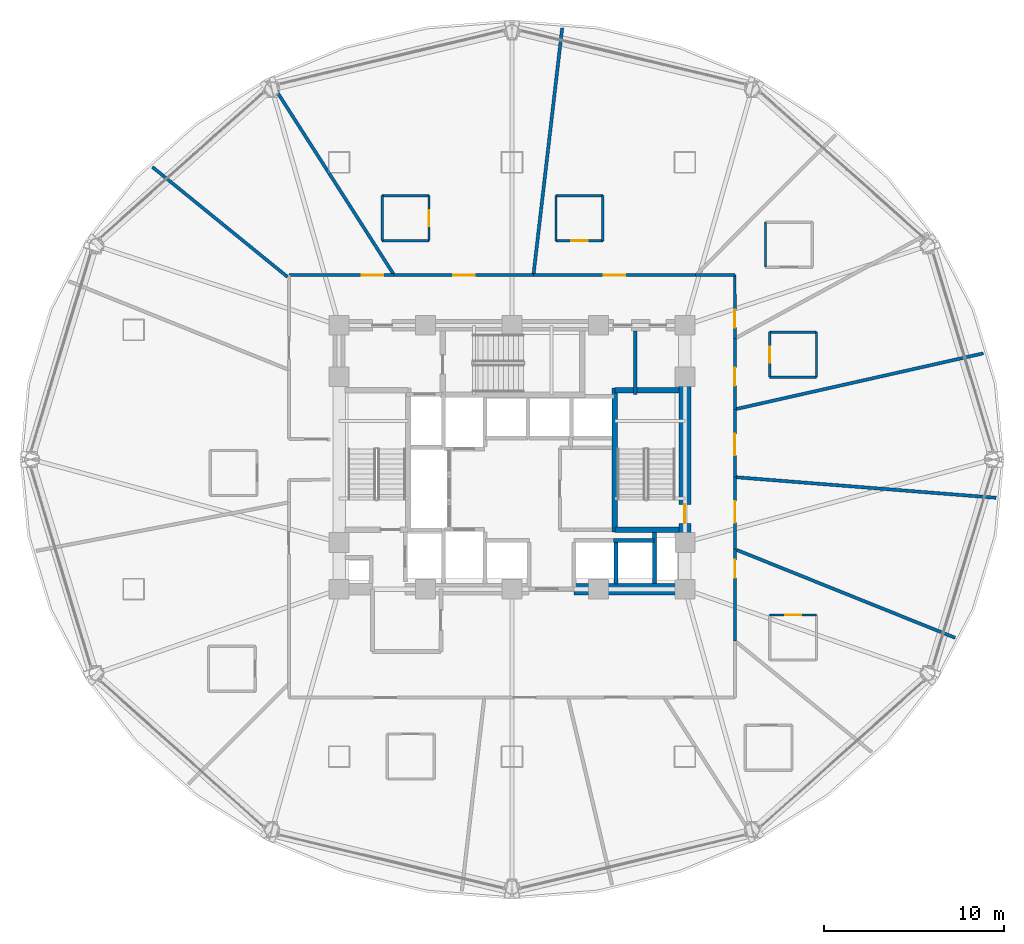
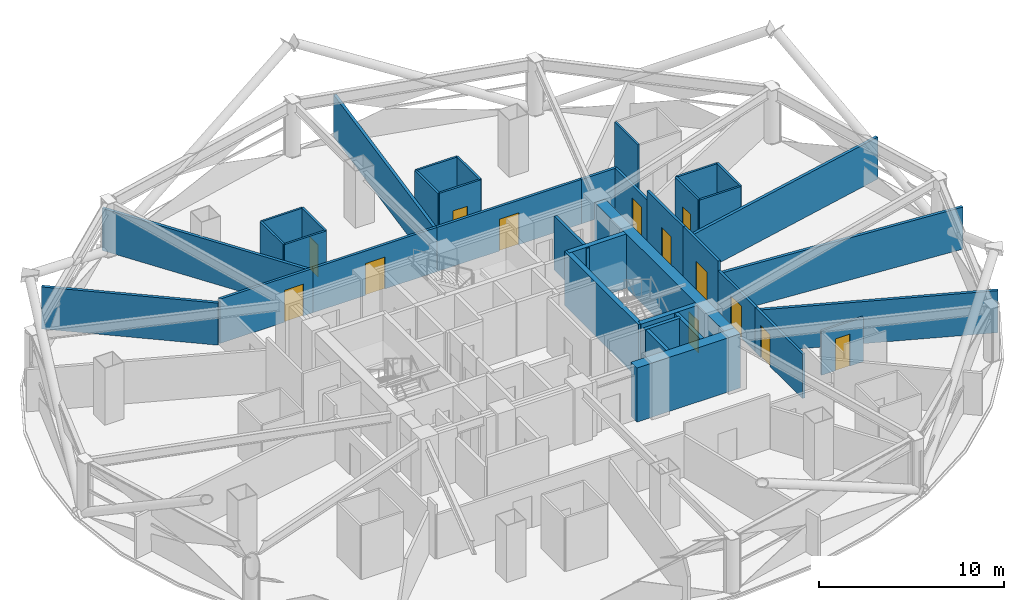
# One storey, part 26 of 31: 38 walls, 13 doors, 13 openings.
"""IFC4 building model written with IfcOpenShell, lengths in metres."""

from ifc_helpers import new_model, si_unit, direction, frame, frame_2d, origin, place, context, subcontext, project, spatial, rectangle, extrude, material, layer, layer_set, type_object, element, fill, save


model = new_model("IFC4")

# Units and contexts
model_context = context("Model", 3, precision=1e-05, world=origin(), true_north=direction((0.0, 1.0)))
body_context = subcontext(model_context, "Body", "Model", "MODEL_VIEW")
ifc_project = project(units=[si_unit("LENGTHUNIT", "METRE"), si_unit("AREAUNIT", "SQUARE_METRE"), si_unit("VOLUMEUNIT", "CUBIC_METRE"), si_unit("PLANEANGLEUNIT", "RADIAN"), si_unit("MASSUNIT", "GRAM", prefix="KILO")], contexts=[model_context])

# Site, building, storey
site_placement = place(None, origin())
site = spatial("IfcSite", under=ifc_project, at=site_placement, CompositionType="ELEMENT")
building_placement = place(site_placement, origin())
building = spatial("IfcBuilding", under=site, at=building_placement, Name="Vantalir Tower", CompositionType="ELEMENT")
storey_placement = place(building_placement, frame((0.0, 0.0, 42.0)))
storey = spatial("IfcBuildingStorey", under=building, at=storey_placement, Name="L09", CompositionType="ELEMENT", Elevation=42.0)

# Walls
ifc_material_1 = material(Name="Moisture-resistant en-suite partition", Category="gypsum")
ifc_layer_1 = layer(ifc_material_1, 0.125)
ifc_layer_set_1 = layer_set([ifc_layer_1], Name="Moisture-resistant en-suite partition")
wall_type_1 = type_object("IfcWallType", Name="WL-BATH-125", PredefinedType="PARTITIONING", material=ifc_layer_set_1)
for number, where, z_axis, x_axis, name in (
    (1, (45.806884765625, 29.572021484375, 0.0), (0.0, 0.0, 1.0), (1.0, 0.0, 0.0), "L09 En-suite 01 South Wall"),
    (2, (45.806884765625, 32.072021484375, 0.0), (0.0, 0.0, 1.0), (1.0, 0.0, 0.0), "L09 En-suite 01 North Wall"),
):
    element("IfcWall", number, at=place(storey_placement, frame(where, z_axis=z_axis, x_axis=x_axis)), inside=storey, type_object=wall_type_1, Name=name, PredefinedType="PARTITIONING", context=body_context, shape_type="SweptSolid", body=[
        extrude(rectangle(XDim=2.60009765625, YDim=0.125, at=frame_2d((1.300048828125, 0.0))), origin(), (0.0, 0.0, 1.0), 3.550048828125),
    ])

# Wall, opening, door
wall_1_placement = place(storey_placement, frame((45.806884765625, 29.572021484375, 0.0), z_axis=(0.0, 0.0, 1.0), x_axis=(0.0, 1.0, 0.0)))
wall_1 = element("IfcWall", 3, at=wall_1_placement, inside=storey, type_object=wall_type_1, Name="L09 En-suite 01 West Wall", PredefinedType="PARTITIONING", context=body_context, shape_type="SweptSolid", body=[
    extrude(rectangle(XDim=2.5, YDim=0.125, at=frame_2d((1.25, 0.0))), origin(), (0.0, 0.0, 1.0), 3.550048828125),
])
opening_1_placement = place(wall_1_placement, frame((0.800048828125, 0.0, 0.0)))
opening_1 = element("IfcOpeningElement", 4, at=opening_1_placement, cuts=wall_1, Name="Opening D-WC", PredefinedType="OPENING", context=body_context, shape_type="SweptSolid", body=[
    extrude(rectangle(XDim=0.89990234375, YDim=2.10009765625, at=frame_2d((0.449951171875, 1.050048828125))), frame((0.0, 0.072509765625, 0.0), z_axis=(0.0, -1.0, 0.0), x_axis=(1.0, 0.0, 0.0)), (0.0, 0.0, 1.0), 0.14501953125),
])
ifc_material_2 = material(Name="Moisture-resistant hardwood door", Category="wood")
door_type_1 = type_object("IfcDoorType", Name="DR-ENSUITE-900", OperationType="NOTDEFINED", PredefinedType="DOOR", material=ifc_material_2)
door_1_placement = place(opening_1_placement, frame((0.89990234375, 0.0, 0.0), z_axis=(0.0, 0.0, 1.0), x_axis=(-1.0, 0.0, 0.0)))
door_1 = element("IfcDoor", 5, at=door_1_placement, inside=storey, type_object=door_type_1, Name="L09 En-suite 01 Door", OperationType="SINGLE_SWING_LEFT", OverallHeight=2.10009765625, OverallWidth=0.89990234375, PredefinedType="DOOR", context=body_context, shape_type="SweptSolid", body=[
    extrude(rectangle(XDim=0.89990234375, YDim=2.10009765625, at=frame_2d((0.449951171875, 1.050048828125))), frame((0.0, 0.02490234375, 0.0), z_axis=(0.0, -1.0, 0.0), x_axis=(1.0, 0.0, 0.0)), (0.0, 0.0, 1.0), 0.050048828125),
])
fill(opening_1, door_1)

# Walls
for number, where, z_axis, x_axis, name in (
    (6, (48.406982421875, 29.572021484375, 0.0), (0.0, 0.0, 1.0), (0.0, 1.0, 0.0), "L09 En-suite 01 East Wall"),
    (7, (45.572998046875, 35.675048828125, 0.0), (0.0, 0.0, 1.0), (0.0, 1.0, 0.0), "L09 En-suite 02 West Wall"),
):
    element("IfcWall", number, at=place(storey_placement, frame(where, z_axis=z_axis, x_axis=x_axis)), inside=storey, type_object=wall_type_1, Name=name, PredefinedType="PARTITIONING", context=body_context, shape_type="SweptSolid", body=[
        extrude(rectangle(XDim=2.5, YDim=0.125, at=frame_2d((1.25, 0.0))), origin(), (0.0, 0.0, 1.0), 3.550048828125),
    ])

# Wall, opening, door
wall_2_placement = place(storey_placement, frame((33.94189453125, 37.14404296875, 0.0), z_axis=(0.0, 0.0, 1.0), x_axis=(1.0, 0.0, 0.0)))
wall_2 = element("IfcWall", 8, at=wall_2_placement, inside=storey, type_object=wall_type_1, Name="L09 En-suite 03 South Wall", PredefinedType="PARTITIONING", context=body_context, shape_type="SweptSolid", body=[
    extrude(rectangle(XDim=2.60009765625, YDim=0.125, at=frame_2d((1.300048828125, 0.0))), origin(), (0.0, 0.0, 1.0), 3.550048828125),
])
opening_2_placement = place(wall_2_placement, frame((0.85009765625, 0.0, 0.0)))
opening_2 = element("IfcOpeningElement", 9, at=opening_2_placement, cuts=wall_2, Name="Opening D-WC", PredefinedType="OPENING", context=body_context, shape_type="SweptSolid", body=[
    extrude(rectangle(XDim=0.89990234375, YDim=2.10009765625, at=frame_2d((0.449951171875, 1.050048828125))), frame((0.0, 0.072509765625, 0.0), z_axis=(0.0, -1.0, 0.0), x_axis=(1.0, 0.0, 0.0)), (0.0, 0.0, 1.0), 0.14501953125),
])
door_2_placement = place(opening_2_placement, origin())
door_2 = element("IfcDoor", 10, at=door_2_placement, inside=storey, type_object=door_type_1, Name="L09 En-suite 03 Door", OperationType="SINGLE_SWING_LEFT", OverallHeight=2.10009765625, OverallWidth=0.89990234375, PredefinedType="DOOR", context=body_context, shape_type="SweptSolid", body=[
    extrude(rectangle(XDim=0.89990234375, YDim=2.10009765625, at=frame_2d((0.449951171875, 1.050048828125))), frame((0.0, 0.02490234375, 0.0), z_axis=(0.0, -1.0, 0.0), x_axis=(1.0, 0.0, 0.0)), (0.0, 0.0, 1.0), 0.050048828125),
])
fill(opening_2, door_2)

# Walls
wall_3_placement = place(storey_placement, frame((33.94189453125, 39.64404296875, 0.0), z_axis=(0.0, 0.0, 1.0), x_axis=(1.0, 0.0, 0.0)))
element("IfcWall", 11, at=wall_3_placement, inside=storey, type_object=wall_type_1, Name="L09 En-suite 03 North Wall", PredefinedType="PARTITIONING", context=body_context, shape_type="SweptSolid", body=[
    extrude(rectangle(XDim=2.60009765625, YDim=0.125, at=frame_2d((1.300048828125, 0.0))), origin(), (0.0, 0.0, 1.0), 3.550048828125),
])
for number, where, z_axis, x_axis, name in (
    (12, (33.94189453125, 37.14404296875, 0.0), (0.0, 0.0, 1.0), (0.0, 1.0, 0.0), "L09 En-suite 03 West Wall"),
    (13, (36.5419921875, 37.14404296875, 0.0), (0.0, 0.0, 1.0), (0.0, 1.0, 0.0), "L09 En-suite 03 East Wall"),
):
    element("IfcWall", number, at=place(storey_placement, frame(where, z_axis=z_axis, x_axis=x_axis)), inside=storey, type_object=wall_type_1, Name=name, PredefinedType="PARTITIONING", context=body_context, shape_type="SweptSolid", body=[
        extrude(rectangle(XDim=2.5, YDim=0.125, at=frame_2d((1.25, 0.0))), origin(), (0.0, 0.0, 1.0), 3.550048828125),
    ])
for number, where, z_axis, x_axis, name in (
    (14, (24.2900390625, 37.14794921875, 0.0), (0.0, 0.0, 1.0), (1.0, 0.0, 0.0), "L09 En-suite 04 South Wall"),
    (15, (24.2900390625, 39.64794921875, 0.0), (0.0, 0.0, 1.0), (1.0, 0.0, 0.0), "L09 En-suite 04 North Wall"),
):
    element("IfcWall", number, at=place(storey_placement, frame(where, z_axis=z_axis, x_axis=x_axis)), inside=storey, type_object=wall_type_1, Name=name, PredefinedType="PARTITIONING", context=body_context, shape_type="SweptSolid", body=[
        extrude(rectangle(XDim=2.599853515625, YDim=0.125, at=frame_2d((1.2998046875, 0.0))), origin(), (0.0, 0.0, 1.0), 3.550048828125),
    ])
wall_4_placement = place(storey_placement, frame((24.2900390625, 37.14794921875, 0.0), z_axis=(0.0, 0.0, 1.0), x_axis=(0.0, 1.0, 0.0)))
element("IfcWall", 16, at=wall_4_placement, inside=storey, type_object=wall_type_1, Name="L09 En-suite 04 West Wall", PredefinedType="PARTITIONING", context=body_context, shape_type="SweptSolid", body=[
    extrude(rectangle(XDim=2.5, YDim=0.125, at=frame_2d((1.25, 0.0))), origin(), (0.0, 0.0, 1.0), 3.550048828125),
])

# Wall, opening, door
wall_5_placement = place(storey_placement, frame((26.889892578125, 37.14794921875, 0.0), z_axis=(0.0, 0.0, 1.0), x_axis=(0.0, 1.0, 0.0)))
wall_5 = element("IfcWall", 17, at=wall_5_placement, inside=storey, type_object=wall_type_1, Name="L09 En-suite 04 East Wall", PredefinedType="PARTITIONING", context=body_context, shape_type="SweptSolid", body=[
    extrude(rectangle(XDim=2.5, YDim=0.125, at=frame_2d((1.25, 0.0))), origin(), (0.0, 0.0, 1.0), 3.550048828125),
])
opening_3_placement = place(wall_5_placement, frame((0.800048828125, 0.0, 0.0)))
opening_3 = element("IfcOpeningElement", 18, at=opening_3_placement, cuts=wall_5, Name="Opening D-WC", PredefinedType="OPENING", context=body_context, shape_type="SweptSolid", body=[
    extrude(rectangle(XDim=0.89990234375, YDim=2.10009765625, at=frame_2d((0.449951171875, 1.050048828125))), frame((0.0, 0.072509765625, 0.0), z_axis=(0.0, -1.0, 0.0), x_axis=(1.0, 0.0, 0.0)), (0.0, 0.0, 1.0), 0.14501953125),
])
door_3_placement = place(opening_3_placement, origin())
door_3 = element("IfcDoor", 19, at=door_3_placement, inside=storey, type_object=door_type_1, Name="L09 En-suite 04 Door", OperationType="SINGLE_SWING_RIGHT", OverallHeight=2.10009765625, OverallWidth=0.89990234375, PredefinedType="DOOR", context=body_context, shape_type="SweptSolid", body=[
    extrude(rectangle(XDim=0.89990234375, YDim=2.10009765625, at=frame_2d((0.449951171875, 1.050048828125))), frame((0.0, 0.02490234375, 0.0), z_axis=(0.0, -1.0, 0.0), x_axis=(1.0, 0.0, 0.0)), (0.0, 0.0, 1.0), 0.050048828125),
])
fill(opening_3, door_3)

wall_6_placement = place(storey_placement, frame((45.805908203125, 16.367919921875, 0.0), z_axis=(0.0, 0.0, 1.0), x_axis=(1.0, 0.0, 0.0)))
wall_6 = element("IfcWall", 20, at=wall_6_placement, inside=storey, type_object=wall_type_1, Name="L09 En-suite 13 North Wall", PredefinedType="PARTITIONING", context=body_context, shape_type="SweptSolid", body=[
    extrude(rectangle(XDim=2.60009765625, YDim=0.125, at=frame_2d((1.300048828125, 0.0))), origin(), (0.0, 0.0, 1.0), 2.927978515625),
])
opening_4_placement = place(wall_6_placement, frame((0.85009765625, 0.0, 0.0)))
opening_4 = element("IfcOpeningElement", 21, at=opening_4_placement, cuts=wall_6, Name="Opening D-WC", PredefinedType="OPENING", context=body_context, shape_type="SweptSolid", body=[
    extrude(rectangle(XDim=0.89990234375, YDim=2.10009765625, at=frame_2d((0.449951171875, 1.050048828125))), frame((0.0, 0.072509765625, 0.0), z_axis=(0.0, -1.0, 0.0), x_axis=(1.0, 0.0, 0.0)), (0.0, 0.0, 1.0), 0.14501953125),
])
door_4_placement = place(opening_4_placement, frame((0.89990234375, 0.0, 0.0), z_axis=(0.0, 0.0, 1.0), x_axis=(-1.0, 0.0, 0.0)))
door_4 = element("IfcDoor", 22, at=door_4_placement, inside=storey, type_object=door_type_1, Name="L09 En-suite 13 Door", OperationType="SINGLE_SWING_LEFT", OverallHeight=2.10009765625, OverallWidth=0.89990234375, PredefinedType="DOOR", context=body_context, shape_type="SweptSolid", body=[
    extrude(rectangle(XDim=0.89990234375, YDim=2.10009765625, at=frame_2d((0.449951171875, 1.050048828125))), frame((0.0, 0.02490234375, 0.0), z_axis=(0.0, -1.0, 0.0), x_axis=(1.0, 0.0, 0.0)), (0.0, 0.0, 1.0), 0.050048828125),
])
fill(opening_4, door_4)

# Wall
ifc_material_3 = material(Name="Concrete C60/75", Category="concrete")
ifc_layer_2 = layer(ifc_material_3, 0.64990234375)
ifc_layer_set_2 = layer_set([ifc_layer_2], Name="Concrete C60/75")
wall_type_2 = type_object("IfcWallType", Name="WL-CORE-650", PredefinedType="SHEAR", material=ifc_layer_set_2)
wall_7_placement = place(storey_placement, frame((34.949951171875, 17.800048828125, 0.0), z_axis=(0.0, 0.0, 1.0), x_axis=(1.0, 0.0, 0.0)))
element("IfcWall", 23, at=wall_7_placement, inside=storey, type_object=wall_type_2, Name="L09 Core Shear Wall South-East", PredefinedType="SHEAR", context=body_context, shape_type="SweptSolid", body=[
    extrude(rectangle(XDim=6.47509765625, YDim=0.64990234375, at=frame_2d((3.237548828125, 0.0))), origin(), (0.0, 0.0, 1.0), 3.570068359375),
])

# Wall, opening, door
wall_8_placement = place(storey_placement, frame((41.10009765625, 18.125, 0.0), z_axis=(0.0, 0.0, 1.0), x_axis=(0.0, 1.0, 0.0)))
wall_8 = element("IfcWall", 24, at=wall_8_placement, inside=storey, type_object=wall_type_2, Name="L09 Core Shear Wall East", PredefinedType="SHEAR", context=body_context, shape_type="SweptSolid", body=[
    extrude(rectangle(XDim=14.0, YDim=0.64990234375, at=frame_2d((7.0, 0.0))), origin(), (0.0, 0.0, 1.0), 3.570068359375),
])
opening_5_placement = place(wall_8_placement, frame((3.3349609375, 0.0, 0.0)))
opening_5 = element("IfcOpeningElement", 25, at=opening_5_placement, cuts=wall_8, Name="Opening D-ST", PredefinedType="OPENING", context=body_context, shape_type="SweptSolid", body=[
    extrude(rectangle(XDim=1.050048828125, YDim=2.10009765625, at=frame_2d((0.52490234375, 1.050048828125))), frame((0.0, 0.3349609375, 0.0), z_axis=(0.0, -1.0, 0.0), x_axis=(1.0, 0.0, 0.0)), (0.0, 0.0, 1.0), 0.669921875),
])
ifc_material_4 = material(Name="Fire-rated steel door leaf", Category="steel")
door_type_2 = type_object("IfcDoorType", Name="DR-FIRE-STAIR-1050", OperationType="NOTDEFINED", PredefinedType="DOOR", material=ifc_material_4)
door_5_placement = place(opening_5_placement, origin())
door_5 = element("IfcDoor", 26, at=door_5_placement, inside=storey, type_object=door_type_2, Name="L09 Exit Stair ST2 Fire Door", OperationType="SINGLE_SWING_LEFT", OverallHeight=2.10009765625, OverallWidth=1.050048828125, PredefinedType="DOOR", context=body_context, shape_type="SweptSolid", body=[
    extrude(rectangle(XDim=1.050048828125, YDim=2.10009765625, at=frame_2d((0.52490234375, 1.050048828125))), frame((0.0, 0.02490234375, 0.0), z_axis=(0.0, -1.0, 0.0), x_axis=(1.0, 0.0, 0.0)), (0.0, 0.0, 1.0), 0.050048828125),
])
fill(opening_5, door_5)

ifc_material_5 = material(Name="Fire-rated hotel corridor acoustic partition", Category="gypsum")
ifc_layer_3 = layer(ifc_material_5, 0.159912109375)
ifc_layer_set_3 = layer_set([ifc_layer_3], Name="Fire-rated hotel corridor acoustic partition")
wall_type_3 = type_object("IfcWallType", Name="WL-CORR-160", PredefinedType="PARTITIONING", material=ifc_layer_set_3)
wall_9_placement = place(storey_placement, frame((19.131103515625, 35.235107421875, 0.0), z_axis=(0.0, 0.0, 1.0), x_axis=(1.0, 0.0, 0.0)))
wall_9 = element("IfcWall", 27, at=wall_9_placement, inside=storey, type_object=wall_type_3, Name="L09 Corridor Partition 04", PredefinedType="PARTITIONING", context=body_context, shape_type="SweptSolid", body=[
    extrude(rectangle(XDim=5.828857421875, YDim=0.159912109375, at=frame_2d((2.91455078125, 0.0))), origin(), (0.0, 0.0, 1.0), 2.927978515625),
])
opening_6_placement = place(wall_9_placement, frame((4.02294921875, 0.0, 0.0)))
opening_6 = element("IfcOpeningElement", 28, at=opening_6_placement, cuts=wall_9, Name="Opening D-STE", PredefinedType="OPENING", context=body_context, shape_type="SweptSolid", body=[
    extrude(rectangle(XDim=1.199951171875, YDim=2.10009765625, at=frame_2d((0.60009765625, 1.050048828125))), frame((0.0, 0.08984375, 0.0), z_axis=(0.0, -1.0, 0.0), x_axis=(1.0, 0.0, 0.0)), (0.0, 0.0, 1.0), 0.179931640625),
])
ifc_material_6 = material(Name="Solid-core teak veneer suite entrance door", Category="wood")
door_type_3 = type_object("IfcDoorType", Name="DR-SUITE-ENTRY-1200", OperationType="NOTDEFINED", PredefinedType="DOOR", material=ifc_material_6)
door_6_placement = place(opening_6_placement, origin())
door_6 = element("IfcDoor", 29, at=door_6_placement, inside=storey, type_object=door_type_3, Name="L09 Club Reading Lounge 05 Door", OperationType="SINGLE_SWING_LEFT", OverallHeight=2.10009765625, OverallWidth=1.199951171875, PredefinedType="DOOR", context=body_context, shape_type="SweptSolid", body=[
    extrude(rectangle(XDim=1.199951171875, YDim=2.10009765625, at=frame_2d((0.60009765625, 1.050048828125))), frame((0.0, 0.02490234375, 0.0), z_axis=(0.0, -1.0, 0.0), x_axis=(1.0, 0.0, 0.0)), (0.0, 0.0, 1.0), 0.050048828125),
])
fill(opening_6, door_6)

wall_10_placement = place(storey_placement, frame((24.9599609375, 35.235107421875, 0.0), z_axis=(0.0, 0.0, 1.0), x_axis=(1.0, 0.0, 0.0)))
wall_10 = element("IfcWall", 30, at=wall_10_placement, inside=storey, type_object=wall_type_3, Name="L09 Corridor Partition 05", PredefinedType="PARTITIONING", context=body_context, shape_type="SweptSolid", body=[
    extrude(rectangle(XDim=7.73095703125, YDim=0.159912109375, at=frame_2d((3.865478515625, 0.0))), origin(), (0.0, 0.0, 1.0), 2.927978515625),
])
opening_7_placement = place(wall_10_placement, frame((3.26611328125, 0.0, 0.0)))
opening_7 = element("IfcOpeningElement", 31, at=opening_7_placement, cuts=wall_10, Name="Opening D-STE", PredefinedType="OPENING", context=body_context, shape_type="SweptSolid", body=[
    extrude(rectangle(XDim=1.199951171875, YDim=2.10009765625, at=frame_2d((0.60009765625, 1.050048828125))), frame((0.0, 0.08984375, 0.0), z_axis=(0.0, -1.0, 0.0), x_axis=(1.0, 0.0, 0.0)), (0.0, 0.0, 1.0), 0.179931640625),
])
door_7_placement = place(opening_7_placement, origin())
door_7 = element("IfcDoor", 32, at=door_7_placement, inside=storey, type_object=door_type_3, Name="L09 Corner Panorama Hotel Suite 04 Door", OperationType="SINGLE_SWING_RIGHT", OverallHeight=2.10009765625, OverallWidth=1.199951171875, PredefinedType="DOOR", context=body_context, shape_type="SweptSolid", body=[
    extrude(rectangle(XDim=1.199951171875, YDim=2.10009765625, at=frame_2d((0.60009765625, 1.050048828125))), frame((0.0, 0.02490234375, 0.0), z_axis=(0.0, -1.0, 0.0), x_axis=(1.0, 0.0, 0.0)), (0.0, 0.0, 1.0), 0.050048828125),
])
fill(opening_7, door_7)

wall_11_placement = place(storey_placement, frame((32.69091796875, 35.235107421875, 0.0), z_axis=(0.0, 0.0, 1.0), x_axis=(1.0, 0.0, 0.0)))
wall_11 = element("IfcWall", 33, at=wall_11_placement, inside=storey, type_object=wall_type_3, Name="L09 Corridor Partition 06", PredefinedType="PARTITIONING", context=body_context, shape_type="SweptSolid", body=[
    extrude(rectangle(XDim=9.009033203125, YDim=0.159912109375, at=frame_2d((4.50439453125, 0.0))), origin(), (0.0, 0.0, 1.0), 2.927978515625),
])
opening_8_placement = place(wall_11_placement, frame((3.904052734375, 0.0, 0.0)))
opening_8 = element("IfcOpeningElement", 34, at=opening_8_placement, cuts=wall_11, Name="Opening D-STE", PredefinedType="OPENING", context=body_context, shape_type="SweptSolid", body=[
    extrude(rectangle(XDim=1.199951171875, YDim=2.10009765625, at=frame_2d((0.60009765625, 1.050048828125))), frame((0.0, 0.08984375, 0.0), z_axis=(0.0, -1.0, 0.0), x_axis=(1.0, 0.0, 0.0)), (0.0, 0.0, 1.0), 0.179931640625),
])
door_8_placement = place(opening_8_placement, origin())
door_8 = element("IfcDoor", 35, at=door_8_placement, inside=storey, type_object=door_type_3, Name="L09 Executive Club Hotel Suite 03 Door", OperationType="SINGLE_SWING_LEFT", OverallHeight=2.10009765625, OverallWidth=1.199951171875, PredefinedType="DOOR", context=body_context, shape_type="SweptSolid", body=[
    extrude(rectangle(XDim=1.199951171875, YDim=2.10009765625, at=frame_2d((0.60009765625, 1.050048828125))), frame((0.0, 0.02490234375, 0.0), z_axis=(0.0, -1.0, 0.0), x_axis=(1.0, 0.0, 0.0)), (0.0, 0.0, 1.0), 0.050048828125),
])
fill(opening_8, door_8)

# Wall
wall_12_placement = place(storey_placement, frame((41.699951171875, 35.235107421875, 0.0), z_axis=(0.0, 0.0, 1.0), x_axis=(1.0, 0.0, 0.0)))
element("IfcWall", 36, at=wall_12_placement, inside=storey, type_object=wall_type_3, Name="L09 Corridor Partition 07", PredefinedType="PARTITIONING", context=body_context, shape_type="SweptSolid", body=[
    extrude(rectangle(XDim=2.1689453125, YDim=0.159912109375, at=frame_2d((1.08447265625, 0.0))), origin(), (0.0, 0.0, 1.0), 2.927978515625),
])

# Wall, opening, door
wall_13_placement = place(storey_placement, frame((43.868896484375, 35.235107421875, 0.0), z_axis=(0.0, 0.0, 1.0), x_axis=(0.00062439283, -0.999999805067, 0.0)))
wall_13 = element("IfcWall", 37, at=wall_13_placement, inside=storey, type_object=wall_type_3, Name="L09 Corridor Partition 08", PredefinedType="PARTITIONING", context=body_context, shape_type="SweptSolid", body=[
    extrude(rectangle(XDim=3.51904296875, YDim=0.159912109375, at=frame_2d((1.759521484375, 0.0))), origin(), (0.0, 0.0, 1.0), 2.927978515625),
])
opening_9_placement = place(wall_13_placement, frame((1.9189453125, 0.0, 0.0)))
opening_9 = element("IfcOpeningElement", 38, at=opening_9_placement, cuts=wall_13, Name="Opening D-GUEST", PredefinedType="OPENING", context=body_context, shape_type="SweptSolid", body=[
    extrude(rectangle(XDim=1.0, YDim=2.10009765625, at=frame_2d((0.5, 1.050048828125))), frame((0.0, 0.08984375, 0.0), z_axis=(0.0, -1.0, 0.0), x_axis=(1.0, 0.0, 0.0)), (0.0, 0.0, 1.0), 0.179931640625),
])
ifc_material_7 = material(Name="Solid-core teak veneer acoustic fire door", Category="wood")
door_type_4 = type_object("IfcDoorType", Name="DR-GUEST-ENTRY-1000", OperationType="NOTDEFINED", PredefinedType="DOOR", material=ifc_material_7)
door_9_placement = place(opening_9_placement, origin())
door_9 = element("IfcDoor", 39, at=door_9_placement, inside=storey, type_object=door_type_4, Name="L09 Deluxe King Hotel Room 02 Door", OperationType="SINGLE_SWING_RIGHT", OverallHeight=2.10009765625, OverallWidth=1.0, PredefinedType="DOOR", context=body_context, shape_type="SweptSolid", body=[
    extrude(rectangle(XDim=1.0, YDim=2.10009765625, at=frame_2d((0.5, 1.050048828125))), frame((0.0, 0.02490234375, 0.0), z_axis=(0.0, -1.0, 0.0), x_axis=(1.0, 0.0, 0.0)), (0.0, 0.0, 1.0), 0.050048828125),
])
fill(opening_9, door_9)

wall_14_placement = place(storey_placement, frame((43.87109375, 31.716064453125, 0.0), z_axis=(0.0, 0.0, 1.0), x_axis=(0.000745850995, -0.999999721853, 0.0)))
wall_14 = element("IfcWall", 40, at=wall_14_placement, inside=storey, type_object=wall_type_3, Name="L09 Corridor Partition 09", PredefinedType="PARTITIONING", context=body_context, shape_type="SweptSolid", body=[
    extrude(rectangle(XDim=3.927978515625, YDim=0.159912109375, at=frame_2d((1.9638671875, 0.0))), origin(), (0.0, 0.0, 1.0), 3.550048828125),
])
opening_10_placement = place(wall_14_placement, frame((1.60888671875, 0.0, 0.0)))
opening_10 = element("IfcOpeningElement", 41, at=opening_10_placement, cuts=wall_14, Name="Opening D-GUEST", PredefinedType="OPENING", context=body_context, shape_type="SweptSolid", body=[
    extrude(rectangle(XDim=1.0, YDim=2.10009765625, at=frame_2d((0.5, 1.050048828125))), frame((0.0, 0.08984375, 0.0), z_axis=(0.0, -1.0, 0.0), x_axis=(1.0, 0.0, 0.0)), (0.0, 0.0, 1.0), 0.179931640625),
])
door_10_placement = place(opening_10_placement, origin())
door_10 = element("IfcDoor", 42, at=door_10_placement, inside=storey, type_object=door_type_4, Name="L09 Twin Queen Hotel Room 01 Door", OperationType="SINGLE_SWING_LEFT", OverallHeight=2.10009765625, OverallWidth=1.0, PredefinedType="DOOR", context=body_context, shape_type="SweptSolid", body=[
    extrude(rectangle(XDim=1.0, YDim=2.10009765625, at=frame_2d((0.5, 1.050048828125))), frame((0.0, 0.02490234375, 0.0), z_axis=(0.0, -1.0, 0.0), x_axis=(1.0, 0.0, 0.0)), (0.0, 0.0, 1.0), 0.050048828125),
])
fill(opening_10, door_10)

wall_15_placement = place(storey_placement, frame((43.8740234375, 27.7880859375, 0.0), z_axis=(0.0, 0.0, 1.0), x_axis=(0.000777907194, -0.99999969743, 0.0)))
wall_15 = element("IfcWall", 43, at=wall_15_placement, inside=storey, type_object=wall_type_3, Name="L09 Corridor Partition 10", PredefinedType="PARTITIONING", context=body_context, shape_type="SweptSolid", body=[
    extrude(rectangle(XDim=3.76611328125, YDim=0.159912109375, at=frame_2d((1.883056640625, 0.0))), origin(), (0.0, 0.0, 1.0), 3.550048828125),
])
opening_11_placement = place(wall_15_placement, frame((1.35791015625, 0.0, 0.0)))
opening_11 = element("IfcOpeningElement", 44, at=opening_11_placement, cuts=wall_15, Name="Opening D-STE", PredefinedType="OPENING", context=body_context, shape_type="SweptSolid", body=[
    extrude(rectangle(XDim=1.199951171875, YDim=2.10009765625, at=frame_2d((0.60009765625, 1.050048828125))), frame((0.0, 0.08984375, 0.0), z_axis=(0.0, -1.0, 0.0), x_axis=(1.0, 0.0, 0.0)), (0.0, 0.0, 1.0), 0.179931640625),
])
door_11_placement = place(opening_11_placement, origin())
door_11 = element("IfcDoor", 45, at=door_11_placement, inside=storey, type_object=door_type_3, Name="L09 Executive Sky Boardroom 15 Door", OperationType="SINGLE_SWING_LEFT", OverallHeight=2.10009765625, OverallWidth=1.199951171875, PredefinedType="DOOR", context=body_context, shape_type="SweptSolid", body=[
    extrude(rectangle(XDim=1.199951171875, YDim=2.10009765625, at=frame_2d((0.60009765625, 1.050048828125))), frame((0.0, 0.02490234375, 0.0), z_axis=(0.0, -1.0, 0.0), x_axis=(1.0, 0.0, 0.0)), (0.0, 0.0, 1.0), 0.050048828125),
])
fill(opening_11, door_11)

wall_16_placement = place(storey_placement, frame((43.876953125, 24.02197265625, 0.0), z_axis=(0.0, 0.0, 1.0), x_axis=(0.000732064226, -0.999999732041, 0.0)))
wall_16 = element("IfcWall", 46, at=wall_16_placement, inside=storey, type_object=wall_type_3, Name="L09 Corridor Partition 11", PredefinedType="PARTITIONING", context=body_context, shape_type="SweptSolid", body=[
    extrude(rectangle(XDim=4.001953125, YDim=0.159912109375, at=frame_2d((2.0009765625, 0.0))), origin(), (0.0, 0.0, 1.0), 2.927978515625),
])
opening_12_placement = place(wall_16_placement, frame((1.327880859375, 0.0, 0.0)))
opening_12 = element("IfcOpeningElement", 47, at=opening_12_placement, cuts=wall_16, Name="Opening D-STE", PredefinedType="OPENING", context=body_context, shape_type="SweptSolid", body=[
    extrude(rectangle(XDim=1.199951171875, YDim=2.10009765625, at=frame_2d((0.60009765625, 1.050048828125))), frame((0.0, 0.08984375, 0.0), z_axis=(0.0, -1.0, 0.0), x_axis=(1.0, 0.0, 0.0)), (0.0, 0.0, 1.0), 0.179931640625),
])
door_12_placement = place(opening_12_placement, origin())
door_12 = element("IfcDoor", 48, at=door_12_placement, inside=storey, type_object=door_type_3, Name="L09 Club Reading Lounge 14 Door", OperationType="SINGLE_SWING_RIGHT", OverallHeight=2.10009765625, OverallWidth=1.199951171875, PredefinedType="DOOR", context=body_context, shape_type="SweptSolid", body=[
    extrude(rectangle(XDim=1.199951171875, YDim=2.10009765625, at=frame_2d((0.60009765625, 1.050048828125))), frame((0.0, 0.02490234375, 0.0), z_axis=(0.0, -1.0, 0.0), x_axis=(1.0, 0.0, 0.0)), (0.0, 0.0, 1.0), 0.050048828125),
])
fill(opening_12, door_12)

wall_17_placement = place(storey_placement, frame((43.8798828125, 20.02001953125, 0.0), z_axis=(0.0, 0.0, 1.0), x_axis=(0.000623052839, -0.999999805903, 0.0)))
wall_17 = element("IfcWall", 49, at=wall_17_placement, inside=storey, type_object=wall_type_3, Name="L09 Corridor Partition 12", PredefinedType="PARTITIONING", context=body_context, shape_type="SweptSolid", body=[
    extrude(rectangle(XDim=5.093994140625, YDim=0.159912109375, at=frame_2d((2.546875, 0.0))), origin(), (0.0, 0.0, 1.0), 2.927978515625),
])
opening_13_placement = place(wall_17_placement, frame((0.594970703125, 0.0, 0.0)))
opening_13 = element("IfcOpeningElement", 50, at=opening_13_placement, cuts=wall_17, Name="Opening D-GUEST", PredefinedType="OPENING", context=body_context, shape_type="SweptSolid", body=[
    extrude(rectangle(XDim=1.0, YDim=2.10009765625, at=frame_2d((0.5, 1.050048828125))), frame((0.0, 0.08984375, 0.0), z_axis=(0.0, -1.0, 0.0), x_axis=(1.0, 0.0, 0.0)), (0.0, 0.0, 1.0), 0.179931640625),
])
door_13_placement = place(opening_13_placement, origin())
door_13 = element("IfcDoor", 51, at=door_13_placement, inside=storey, type_object=door_type_4, Name="L09 Deluxe King Hotel Room 13 Door", OperationType="SINGLE_SWING_LEFT", OverallHeight=2.10009765625, OverallWidth=1.0, PredefinedType="DOOR", context=body_context, shape_type="SweptSolid", body=[
    extrude(rectangle(XDim=1.0, YDim=2.10009765625, at=frame_2d((0.5, 1.050048828125))), frame((0.0, 0.02490234375, 0.0), z_axis=(0.0, -1.0, 0.0), x_axis=(1.0, 0.0, 0.0)), (0.0, 0.0, 1.0), 0.050048828125),
])
fill(opening_13, door_13)

# Walls
ifc_material_8 = material(Name="Concrete blockwork with fireboard lining", Category="masonry")
ifc_layer_4 = layer(ifc_material_8, 0.219970703125)
ifc_layer_set_4 = layer_set([ifc_layer_4], Name="Concrete blockwork with fireboard lining")
wall_type_4 = type_object("IfcWallType", Name="WL-FFL-220", PredefinedType="PARTITIONING", material=ifc_layer_set_4)
wall_18_placement = place(storey_placement, frame((37.27490234375, 18.080078125, 0.0), z_axis=(0.0, 0.0, 1.0), x_axis=(0.0, 1.0, 0.0)))
element("IfcWall", 52, at=wall_18_placement, inside=storey, type_object=wall_type_4, Name="L09 Shuttle Lift PL-X2/X3 Shaft Divider", PredefinedType="PARTITIONING", context=body_context, shape_type="SweptSolid", body=[
    extrude(rectangle(XDim=2.309814453125, YDim=0.219970703125, at=frame_2d((1.15478515625, 0.0))), origin(), (0.0, 0.0, 1.0), 3.544921875),
])
wall_19_placement = place(storey_placement, frame((39.419921875, 18.125, 0.0), z_axis=(0.0, 0.0, 1.0), x_axis=(0.0, 1.0, 0.0)))
element("IfcWall", 53, at=wall_19_placement, inside=storey, type_object=wall_type_4, Name="L09 East MEP Riser Wall W", PredefinedType="PARTITIONING", context=body_context, shape_type="SweptSolid", body=[
    extrude(rectangle(XDim=2.824951171875, YDim=0.219970703125, at=frame_2d((1.41259765625, 0.0))), origin(), (0.0, 0.0, 1.0), 3.550048828125),
])
wall_20_placement = place(storey_placement, frame((37.139892578125, 20.510009765625, 0.0), z_axis=(0.0, 0.0, 1.0), x_axis=(1.0, 0.0, 0.0)))
element("IfcWall", 54, at=wall_20_placement, inside=storey, type_object=wall_type_4, Name="L09 Lift PL-X2 Shaft Rear Wall", PredefinedType="PARTITIONING", context=body_context, shape_type="SweptSolid", body=[
    extrude(rectangle(XDim=2.239990234375, YDim=0.219970703125, at=frame_2d((1.1201171875, 0.0))), origin(), (0.0, 0.0, 1.0), 3.550048828125),
])
ifc_material_9 = material(Name="Twin-stud acoustic fire-rated gypsum partition", Category="gypsum")
ifc_layer_5 = layer(ifc_material_9, 0.179931640625)
ifc_layer_set_5 = layer_set([ifc_layer_5], Name="Twin-stud acoustic fire-rated gypsum partition")
wall_type_5 = type_object("IfcWallType", Name="WL-GUEST-180", PredefinedType="PARTITIONING", material=ifc_layer_set_5)
wall_21_placement = place(storey_placement, frame((38.340087890625, 28.6201171875, 0.0), z_axis=(0.0, 0.0, 1.0), x_axis=(0.0, 1.0, 0.0)))
element("IfcWall", 55, at=wall_21_placement, inside=storey, type_object=wall_type_5, Name="L09 High-Rise Lift Lobby East Wall", PredefinedType="PARTITIONING", context=body_context, shape_type="SweptSolid", body=[
    extrude(rectangle(XDim=3.5048828125, YDim=0.179931640625, at=frame_2d((1.75244140625, 0.0))), origin(), (0.0, 0.0, 1.0), 3.550048828125),
])
wall_22_placement = place(storey_placement, frame((43.965087890625, 27.80810546875, 0.0), z_axis=(0.0, 0.0, 1.0), x_axis=(0.975548947741, 0.219782279907, 0.0)))
element("IfcWall", 56, at=wall_22_placement, inside=storey, type_object=wall_type_5, Name="L09 Radial Suite Partition 01", PredefinedType="PARTITIONING", context=body_context, shape_type="SweptSolid", body=[
    extrude(rectangle(XDim=14.04541015625, YDim=0.179931640625, at=frame_2d((7.022705078125, 0.0))), origin(), (0.0, 0.0, 1.0), 2.77490234375),
])
wall_23_placement = place(storey_placement, frame((32.699951171875, 35.31494140625, 0.0), z_axis=(0.0, 0.0, 1.0), x_axis=(0.115555102972, 0.993301071265, 0.0)))
element("IfcWall", 57, at=wall_23_placement, inside=storey, type_object=wall_type_5, Name="L09 Radial Suite Partition 04", PredefinedType="PARTITIONING", context=body_context, shape_type="SweptSolid", body=[
    extrude(rectangle(XDim=13.735107421875, YDim=0.179931640625, at=frame_2d((6.86767578125, 0.0))), origin(), (0.0, 0.0, 1.0), 2.77490234375),
])
wall_24_placement = place(storey_placement, frame((24.908935546875, 35.31494140625, 0.0), z_axis=(0.0, 0.0, 1.0), x_axis=(-0.538458076676, 0.842652300574, 0.0)))
element("IfcWall", 58, at=wall_24_placement, inside=storey, type_object=wall_type_5, Name="L09 Radial Suite Partition 05", PredefinedType="PARTITIONING", context=body_context, shape_type="SweptSolid", body=[
    extrude(rectangle(XDim=12.66943359375, YDim=0.179931640625, at=frame_2d((6.334716796875, 0.0))), origin(), (0.0, 0.0, 1.0), 2.77490234375),
])
wall_25_placement = place(storey_placement, frame((19.034912109375, 35.139892578125, 0.0), z_axis=(0.0, 0.0, 1.0), x_axis=(-0.77570287791, 0.631098284899, 0.0)))
element("IfcWall", 59, at=wall_25_placement, inside=storey, type_object=wall_type_5, Name="L09 Radial Suite Partition 06", PredefinedType="PARTITIONING", context=body_context, shape_type="SweptSolid", body=[
    extrude(rectangle(XDim=9.66748046875, YDim=0.179931640625, at=frame_2d((4.833740234375, 0.0))), origin(), (0.0, 0.0, 1.0), 2.77490234375),
])
wall_26_placement = place(storey_placement, frame((43.965087890625, 19.986083984375, 0.0), z_axis=(0.0, 0.0, 1.0), x_axis=(0.927750435419, -0.373201191827, 0.0)))
element("IfcWall", 60, at=wall_26_placement, inside=storey, type_object=wall_type_5, Name="L09 Radial Suite Partition 14", PredefinedType="PARTITIONING", context=body_context, shape_type="SweptSolid", body=[
    extrude(rectangle(XDim=13.084228515625, YDim=0.179931640625, at=frame_2d((6.5419921875, 0.0))), origin(), (0.0, 0.0, 1.0), 2.77490234375),
])
wall_27_placement = place(storey_placement, frame((43.965087890625, 24.014892578125, 0.0), z_axis=(0.0, 0.0, 1.0), x_axis=(0.996887926133, -0.078831863678, 0.0)))
element("IfcWall", 61, at=wall_27_placement, inside=storey, type_object=wall_type_5, Name="L09 Radial Suite Partition 15", PredefinedType="PARTITIONING", context=body_context, shape_type="SweptSolid", body=[
    extrude(rectangle(XDim=14.459716796875, YDim=0.179931640625, at=frame_2d((7.22998046875, 0.0))), origin(), (0.0, 0.0, 1.0), 2.77490234375),
])
ifc_material_10 = material(Name="Concrete C50/60", Category="concrete")
ifc_layer_6 = layer(ifc_material_10, 0.300048828125)
ifc_layer_set_6 = layer_set([ifc_layer_6], Name="Concrete C50/60")
wall_type_6 = type_object("IfcWallType", Name="WL-STAIR-300", PredefinedType="SHEAR", material=ifc_layer_set_6)
for number, where, z_axis, x_axis, name in (
    (62, (37.2099609375, 21.10009765625, 0.0), (0.0, 0.0, 1.0), (1.0, 0.0, 0.0), "L09 Stair ST2 South Wall"),
    (63, (37.2099609375, 28.85009765625, 0.0), (0.0, 0.0, 1.0), (1.0, 0.0, 0.0), "L09 Stair ST2 North Wall"),
):
    element("IfcWall", number, at=place(storey_placement, frame(where, z_axis=z_axis, x_axis=x_axis)), inside=storey, type_object=wall_type_6, Name=name, PredefinedType="SHEAR", context=body_context, shape_type="SweptSolid", body=[
        extrude(rectangle(XDim=3.56494140625, YDim=0.300048828125, at=frame_2d((1.782470703125, 0.0))), origin(), (0.0, 0.0, 1.0), 3.570068359375),
    ])
wall_28_placement = place(storey_placement, frame((37.2099609375, 20.97998046875, 0.0), z_axis=(0.0, 0.0, 1.0), x_axis=(0.0, 1.0, 0.0)))
element("IfcWall", 64, at=wall_28_placement, inside=storey, type_object=wall_type_6, Name="L09 Stair ST2 West Wall", PredefinedType="SHEAR", context=body_context, shape_type="SweptSolid", body=[
    extrude(rectangle(XDim=7.989990234375, YDim=0.300048828125, at=frame_2d((3.9951171875, 0.0))), origin(), (0.0, 0.0, 1.0), 3.570068359375),
])

save(model, "model.ifc")
